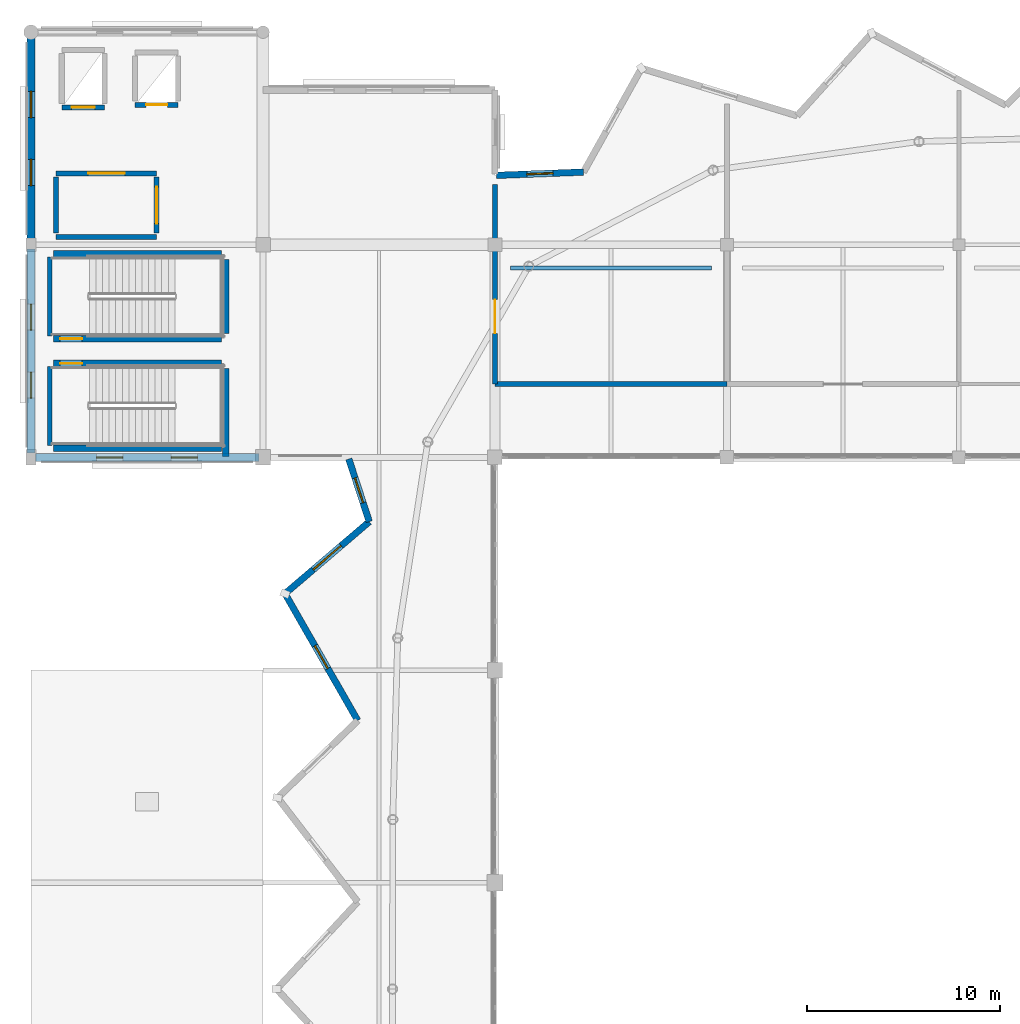
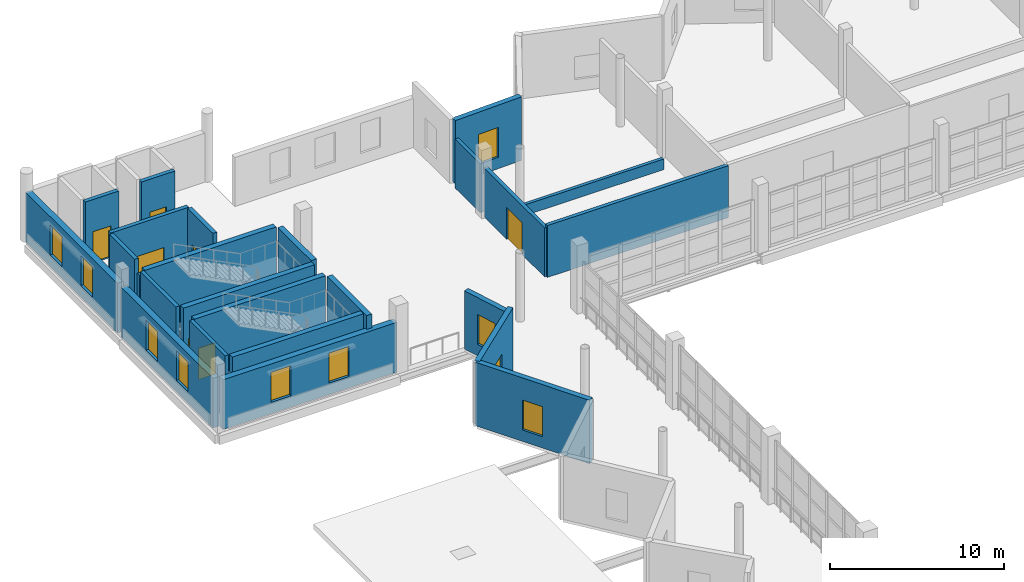
# One storey, part 40 of 53: 25 walls, 10 windows, 7 doors, 17 openings.
"""IFC4 building model written with IfcOpenShell, lengths in metres."""

from ifc_helpers import new_model, si_unit, direction, frame, frame_2d, origin, place, context, subcontext, project, spatial, rectangle, extrude, material, layer, layer_set, type_object, element, fill, save


model = new_model("IFC4")

# Units and contexts
model_context = context("Model", 3, precision=1e-05, world=origin(), true_north=direction((0.0, 1.0)))
body_context = subcontext(model_context, "Body", "Model", "MODEL_VIEW")
ifc_project = project(units=[si_unit("LENGTHUNIT", "METRE"), si_unit("AREAUNIT", "SQUARE_METRE"), si_unit("VOLUMEUNIT", "CUBIC_METRE"), si_unit("PLANEANGLEUNIT", "RADIAN"), si_unit("MASSUNIT", "GRAM", prefix="KILO")], contexts=[model_context])

# Site, building, storey
site_placement = place(None, origin())
site = spatial("IfcSite", under=ifc_project, at=site_placement, CompositionType="ELEMENT")
building_placement = place(site_placement, origin())
building = spatial("IfcBuilding", under=site, at=building_placement, Name="Luwafu Chhajja Arena", CompositionType="ELEMENT")
storey_placement = place(building_placement, frame((0.0, 0.0, 19.5)))
storey = spatial("IfcBuildingStorey", under=building, at=storey_placement, Name="L04", CompositionType="ELEMENT", Elevation=19.5)

# Wall, opening, door
ifc_material_1 = material(Name="Concrete blockwork masonry", Category="masonry")
ifc_layer_1 = layer(ifc_material_1, 0.239990234375, Name="Concrete blockwork masonry")
ifc_layer_set_1 = layer_set([ifc_layer_1], Name="Concrete blockwork masonry")
wall_type_1 = type_object("IfcWallType", Name="Compartment Masonry Partition 240", PredefinedType="PARTITIONING", material=ifc_layer_set_1)
wall_1_placement = place(storey_placement, frame((58.0, 80.800048828125, 0.0), z_axis=(0.0, 0.0, 1.0), x_axis=(0.0, 1.0, 0.0)))
wall_1 = element("IfcWall", 1, at=wall_1_placement, inside=storey, type_object=wall_type_1, Name="L04 Internal Partition 0303", PredefinedType="PARTITIONING", context=body_context, shape_type="SweptSolid", body=[
    extrude(rectangle(XDim=6.97998046875, YDim=0.239990234375, at=frame_2d((3.489990234375, 0.0))), origin(), (0.0, 0.0, 1.0), 3.43994140625),
])
opening_1_placement = place(wall_1_placement, frame((2.614990234375, 0.0, 0.0)))
opening_1 = element("IfcOpeningElement", 2, at=opening_1_placement, cuts=wall_1, Name="Opening DR-09", PredefinedType="OPENING", context=body_context, shape_type="SweptSolid", body=[
    extrude(rectangle(XDim=1.75, YDim=2.25, at=frame_2d((0.875, 1.125))), frame((0.0, 0.1298828125, 0.0), z_axis=(0.0, -1.0, 0.0), x_axis=(1.0, 0.0, 0.0)), (0.0, 0.0, 1.0), 0.260009765625),
])
ifc_material_2 = material(Name="Powder-coated steel fire leaf", Category="steel")
door_type_1 = type_object("IfcDoorType", Name="DR-09", OperationType="DOUBLE_DOOR_SINGLE_SWING", PredefinedType="DOOR", material=ifc_material_2)
door_1_placement = place(opening_1_placement, origin())
door_1 = element("IfcDoor", 3, at=door_1_placement, inside=storey, type_object=door_type_1, Name="L04 Interior Door L04-D018", OperationType="DOUBLE_DOOR_SINGLE_SWING", OverallHeight=2.25, OverallWidth=1.75, PredefinedType="DOOR", context=body_context, shape_type="SweptSolid", body=[
    extrude(rectangle(XDim=1.75, YDim=2.25, at=frame_2d((0.875, 1.125))), frame((0.0, 0.02490234375, 0.0), z_axis=(0.0, -1.0, 0.0), x_axis=(1.0, 0.0, 0.0)), (0.0, 0.0, 1.0), 0.050048828125),
])
fill(opening_1, door_1)

# Walls
wall_2_placement = place(storey_placement, frame((58.0, 88.219970703125, 0.0), z_axis=(0.0, 0.0, 1.0), x_axis=(0.0, 1.0, 0.0)))
element("IfcWall", 4, at=wall_2_placement, inside=storey, type_object=wall_type_1, Name="L04 Internal Partition 0304", PredefinedType="PARTITIONING", context=body_context, shape_type="SweptSolid", body=[
    extrude(rectangle(XDim=2.892333984375, YDim=0.239990234375, at=frame_2d((1.4462890625, 0.0))), origin(), (0.0, 0.0, 1.0), 3.43994140625),
])
wall_3_placement = place(storey_placement, frame((58.0, 80.800048828125, 0.0), z_axis=(0.0, 0.0, 1.0), x_axis=(1.0, 0.0, 0.0)))
element("IfcWall", 5, at=wall_3_placement, inside=storey, type_object=wall_type_1, Name="L04 Internal Partition 0316", PredefinedType="PARTITIONING", context=body_context, shape_type="SweptSolid", body=[
    extrude(rectangle(XDim=12.0, YDim=0.239990234375, at=frame_2d((6.0, 0.0))), origin(), (0.0, 0.0, 1.0), 3.639892578125),
])

# Wall, opening, door
ifc_material_3 = material(Name="Concrete C40/50", Category="concrete")
ifc_layer_2 = layer(ifc_material_3, 0.260009765625, Name="Concrete C40/50")
ifc_layer_set_2 = layer_set([ifc_layer_2], Name="Concrete C40/50")
wall_type_2 = type_object("IfcWallType", Name="Firefighting Lobby Wall 260", PredefinedType="SOLIDWALL", material=ifc_layer_set_2)
wall_4_placement = place(storey_placement, frame((35.300048828125, 91.699951171875, 0.0), z_axis=(0.0, 0.0, 1.0), x_axis=(1.0, 0.0, 0.0)))
wall_4 = element("IfcWall", 6, at=wall_4_placement, inside=storey, type_object=wall_type_2, Name="L04 Core C3 Firefighting Lobby Wall N", PredefinedType="SOLIDWALL", context=body_context, shape_type="SweptSolid", body=[
    extrude(rectangle(XDim=5.199951171875, YDim=0.260009765625, at=frame_2d((2.60009765625, 0.0))), origin(), (0.0, 0.0, 1.0), 4.4599609375),
])
opening_2_placement = place(wall_4_placement, frame((1.64990234375, 0.0, 0.0)))
opening_2 = element("IfcOpeningElement", 7, at=opening_2_placement, cuts=wall_4, Name="Opening DR-07", PredefinedType="OPENING", context=body_context, shape_type="SweptSolid", body=[
    extrude(rectangle(XDim=1.89990234375, YDim=2.199951171875, at=frame_2d((0.949951171875, 1.10009765625))), frame((0.0, 0.139892578125, 0.0), z_axis=(0.0, -1.0, 0.0), x_axis=(1.0, 0.0, 0.0)), (0.0, 0.0, 1.0), 0.280029296875),
])
ifc_material_4 = material(Name="Fire-rated hardwood and vision panel", Category="wood")
door_type_2 = type_object("IfcDoorType", Name="DR-07", OperationType="DOUBLE_DOOR_SINGLE_SWING", PredefinedType="DOOR", material=ifc_material_4)
door_2_placement = place(opening_2_placement, origin())
door_2 = element("IfcDoor", 8, at=door_2_placement, inside=storey, type_object=door_type_2, Name="L04 Firefighting Lobby C3 Door L04-D011", OperationType="DOUBLE_DOOR_SINGLE_SWING", OverallHeight=2.199951171875, OverallWidth=1.89990234375, PredefinedType="DOOR", context=body_context, shape_type="SweptSolid", body=[
    extrude(rectangle(XDim=1.89990234375, YDim=2.199951171875, at=frame_2d((0.949951171875, 1.10009765625))), frame((0.0, 0.02490234375, 0.0), z_axis=(0.0, -1.0, 0.0), x_axis=(1.0, 0.0, 0.0)), (0.0, 0.0, 1.0), 0.050048828125),
])
fill(opening_2, door_2)

# Walls
wall_5_placement = place(storey_placement, frame((35.300048828125, 88.39990234375, 0.0), z_axis=(0.0, 0.0, 1.0), x_axis=(1.0, 0.0, 0.0)))
element("IfcWall", 9, at=wall_5_placement, inside=storey, type_object=wall_type_2, Name="L04 Core C3 Firefighting Lobby Wall S", PredefinedType="SOLIDWALL", context=body_context, shape_type="SweptSolid", body=[
    extrude(rectangle(XDim=5.199951171875, YDim=0.260009765625, at=frame_2d((2.60009765625, 0.0))), origin(), (0.0, 0.0, 1.0), 3.489990234375),
])
wall_6_placement = place(storey_placement, frame((35.300048828125, 88.60009765625, 0.0), z_axis=(0.0, 0.0, 1.0), x_axis=(0.0, 1.0, 0.0)))
element("IfcWall", 10, at=wall_6_placement, inside=storey, type_object=wall_type_2, Name="L04 Core C3 Firefighting Lobby Wall W", PredefinedType="SOLIDWALL", context=body_context, shape_type="SweptSolid", body=[
    extrude(rectangle(XDim=2.89990234375, YDim=0.260009765625, at=frame_2d((1.449951171875, 0.0))), origin(), (0.0, 0.0, 1.0), 4.4599609375),
])

# Wall, opening, door
wall_7_placement = place(storey_placement, frame((40.5, 88.60009765625, 0.0), z_axis=(0.0, 0.0, 1.0), x_axis=(0.0, 1.0, 0.0)))
wall_7 = element("IfcWall", 11, at=wall_7_placement, inside=storey, type_object=wall_type_2, Name="L04 Core C3 Firefighting Lobby Wall E", PredefinedType="SOLIDWALL", context=body_context, shape_type="SweptSolid", body=[
    extrude(rectangle(XDim=2.89990234375, YDim=0.260009765625, at=frame_2d((1.449951171875, 0.0))), origin(), (0.0, 0.0, 1.0), 4.4599609375),
])
opening_3_placement = place(wall_7_placement, frame((0.5, 0.0, 0.0)))
opening_3 = element("IfcOpeningElement", 12, at=opening_3_placement, cuts=wall_7, Name="Opening DR-07", PredefinedType="OPENING", context=body_context, shape_type="SweptSolid", body=[
    extrude(rectangle(XDim=1.89990234375, YDim=2.199951171875, at=frame_2d((0.949951171875, 1.10009765625))), frame((0.0, 0.139892578125, 0.0), z_axis=(0.0, -1.0, 0.0), x_axis=(1.0, 0.0, 0.0)), (0.0, 0.0, 1.0), 0.280029296875),
])
door_3_placement = place(opening_3_placement, origin())
door_3 = element("IfcDoor", 13, at=door_3_placement, inside=storey, type_object=door_type_2, Name="L04 Firefighting Lobby C3 Door L04-D012", OperationType="DOUBLE_DOOR_SINGLE_SWING", OverallHeight=2.199951171875, OverallWidth=1.89990234375, PredefinedType="DOOR", context=body_context, shape_type="SweptSolid", body=[
    extrude(rectangle(XDim=1.89990234375, YDim=2.199951171875, at=frame_2d((0.949951171875, 1.10009765625))), frame((0.0, 0.02490234375, 0.0), z_axis=(0.0, -1.0, 0.0), x_axis=(1.0, 0.0, 0.0)), (0.0, 0.0, 1.0), 0.050048828125),
])
fill(opening_3, door_3)

ifc_material_5 = material(Name="Concrete C35/45", Category="concrete")
ifc_layer_3 = layer(ifc_material_5, 0.260009765625, Name="Concrete C35/45")
ifc_layer_set_3 = layer_set([ifc_layer_3], Name="Concrete C35/45")
wall_type_3 = type_object("IfcWallType", Name="Lift and Riser Shaft Wall 260", PredefinedType="SOLIDWALL", material=ifc_layer_set_3)
wall_8_placement = place(storey_placement, frame((35.590087890625, 95.114990234375, 0.0), z_axis=(0.0, 0.0, 1.0), x_axis=(1.0, 0.0, 0.0)))
wall_8 = element("IfcWall", 14, at=wall_8_placement, inside=storey, type_object=wall_type_3, Name="L04 Lift LF-03 Shaft Wall S", PredefinedType="SOLIDWALL", context=body_context, shape_type="SweptSolid", body=[
    extrude(rectangle(XDim=2.219970703125, YDim=0.260009765625, at=frame_2d((1.10986328125, 0.0))), origin(), (0.0, 0.0, 1.0), 4.4599609375),
])
opening_4_placement = place(wall_8_placement, frame((0.510009765625, 0.0, 0.0)))
opening_4 = element("IfcOpeningElement", 15, at=opening_4_placement, cuts=wall_8, Name="Opening LD-02", PredefinedType="OPENING", context=body_context, shape_type="SweptSolid", body=[
    extrude(rectangle(XDim=1.199951171875, YDim=2.199951171875, at=frame_2d((0.60009765625, 1.10009765625))), frame((0.0, 0.139892578125, 0.0), z_axis=(0.0, -1.0, 0.0), x_axis=(1.0, 0.0, 0.0)), (0.0, 0.0, 1.0), 0.280029296875),
])
ifc_material_6 = material(Name="Brushed stainless steel sliding leaves", Category="steel")
door_type_3 = type_object("IfcDoorType", Name="LD-02", OperationType="SLIDING_TO_LEFT", PredefinedType="DOOR", material=ifc_material_6)
door_4_placement = place(opening_4_placement, origin())
door_4 = element("IfcDoor", 16, at=door_4_placement, inside=storey, type_object=door_type_3, Name="L04 Lift LF-03 Landing Door L04-LD05", OperationType="SLIDING_TO_LEFT", OverallHeight=2.199951171875, OverallWidth=1.199951171875, PredefinedType="DOOR", context=body_context, shape_type="SweptSolid", body=[
    extrude(rectangle(XDim=1.199951171875, YDim=2.199951171875, at=frame_2d((0.60009765625, 1.10009765625))), frame((0.0, 0.02490234375, 0.0), z_axis=(0.0, -1.0, 0.0), x_axis=(1.0, 0.0, 0.0)), (0.0, 0.0, 1.0), 0.050048828125),
])
fill(opening_4, door_4)

wall_9_placement = place(storey_placement, frame((39.389892578125, 95.239990234375, 0.0), z_axis=(0.0, 0.0, 1.0), x_axis=(1.0, 0.0, 0.0)))
wall_9 = element("IfcWall", 17, at=wall_9_placement, inside=storey, type_object=wall_type_3, Name="L04 Lift LF-07 Shaft Wall S", PredefinedType="SOLIDWALL", context=body_context, shape_type="SweptSolid", body=[
    extrude(rectangle(XDim=2.22021484375, YDim=0.260009765625, at=frame_2d((1.110107421875, 0.0))), origin(), (0.0, 0.0, 1.0), 4.4599609375),
])
opening_5_placement = place(wall_9_placement, frame((0.56005859375, 0.0, 0.0)))
opening_5 = element("IfcOpeningElement", 18, at=opening_5_placement, cuts=wall_9, Name="Opening LD-01", PredefinedType="OPENING", context=body_context, shape_type="SweptSolid", body=[
    extrude(rectangle(XDim=1.10009765625, YDim=2.14990234375, at=frame_2d((0.550048828125, 1.074951171875))), frame((0.0, 0.139892578125, 0.0), z_axis=(0.0, -1.0, 0.0), x_axis=(1.0, 0.0, 0.0)), (0.0, 0.0, 1.0), 0.280029296875),
])
door_type_4 = type_object("IfcDoorType", Name="LD-01", OperationType="SLIDING_TO_LEFT", PredefinedType="DOOR", material=ifc_material_6)
door_5_placement = place(opening_5_placement, origin())
door_5 = element("IfcDoor", 19, at=door_5_placement, inside=storey, type_object=door_type_4, Name="L04 Lift LF-07 Landing Door L04-LD06", OperationType="SLIDING_TO_LEFT", OverallHeight=2.14990234375, OverallWidth=1.10009765625, PredefinedType="DOOR", context=body_context, shape_type="SweptSolid", body=[
    extrude(rectangle(XDim=1.10009765625, YDim=2.14990234375, at=frame_2d((0.550048828125, 1.074951171875))), frame((0.0, 0.02490234375, 0.0), z_axis=(0.0, -1.0, 0.0), x_axis=(1.0, 0.0, 0.0)), (0.0, 0.0, 1.0), 0.050048828125),
])
fill(opening_5, door_5)

# Wall, opening, window
ifc_material_7 = material(Name="Precast concrete C40/50", Category="concrete")
ifc_layer_4 = layer(ifc_material_7, 0.340087890625, Name="Precast concrete C40/50")
ifc_layer_set_4 = layer_set([ifc_layer_4], Name="Precast concrete C40/50")
wall_type_4 = type_object("IfcWallType", Name="Pleated Bowl V-Fold Wall 340", PredefinedType="USERDEFINED", material=ifc_layer_set_4)
wall_10_placement = place(storey_placement, frame((62.57421875, 91.76318359375, 0.0), z_axis=(0.0, 0.0, 1.0), x_axis=(-0.999296191983, -0.037511607381, 0.0)))
wall_10 = element("IfcWall", 20, at=wall_10_placement, inside=storey, type_object=wall_type_4, Name="L04 Pleated Bowl V-Fold Wall 24", ObjectType="PLEATED FACADE WALL", PredefinedType="USERDEFINED", context=body_context, shape_type="SweptSolid", body=[
    extrude(rectangle(XDim=4.497314453125, YDim=0.340087890625, at=frame_2d((2.24853515625, 0.0))), origin(), (0.0, 0.0, 1.0), 4.455078125),
])
opening_6_placement = place(wall_10_placement, frame((1.573486328125, 0.0, 0.800048828125)))
opening_6 = element("IfcOpeningElement", 21, at=opening_6_placement, cuts=wall_10, Name="Opening WN-17", PredefinedType="OPENING", context=body_context, shape_type="SweptSolid", body=[
    extrude(rectangle(XDim=1.35009765625, YDim=2.10009765625, at=frame_2d((0.675048828125, 1.050048828125))), frame((0.0, 0.179931640625, 0.0), z_axis=(0.0, -1.0, 0.0), x_axis=(1.0, 0.0, 0.0)), (0.0, 0.0, 1.0), 0.360107421875),
])
ifc_material_8 = material(Name="Solar-control laminated glass", Category="glass")
window_type_1 = type_object("IfcWindowType", Name="Exhibition Mezzanine Lancet Window 1350x2100", PartitioningType="SINGLE_PANEL", PredefinedType="WINDOW", material=ifc_material_8)
window_1_placement = place(opening_6_placement, origin())
window_1 = element("IfcWindow", 22, at=window_1_placement, inside=storey, type_object=window_type_1, Name="L04 Pleated Bowl Lancet Window 099", OverallHeight=2.10009765625, OverallWidth=1.35009765625, PartitioningType="SINGLE_PANEL", PredefinedType="WINDOW", context=body_context, shape_type="SweptSolid", body=[
    extrude(rectangle(XDim=1.35009765625, YDim=2.10009765625, at=frame_2d((0.675048828125, 1.050048828125))), frame((0.0, 0.030029296875, 0.0), z_axis=(0.0, -1.0, 0.0), x_axis=(1.0, 0.0, 0.0)), (0.0, 0.0, 1.0), 0.06005859375),
])
fill(opening_6, window_1)

wall_11_placement = place(storey_placement, frame((50.437744140625, 76.919921875, 0.0), z_axis=(0.0, 0.0, 1.0), x_axis=(0.310230166493, -0.950661476972, 0.0)))
wall_11 = element("IfcWall", 23, at=wall_11_placement, inside=storey, type_object=wall_type_4, Name="L04 Pleated Bowl V-Fold Wall 27", ObjectType="PLEATED FACADE WALL", PredefinedType="USERDEFINED", context=body_context, shape_type="SweptSolid", body=[
    extrude(rectangle(XDim=3.41064453125, YDim=0.340087890625, at=frame_2d((1.705322265625, 0.0))), origin(), (0.0, 0.0, 1.0), 4.08349609375),
])
opening_7_placement = place(wall_11_placement, frame((1.0302734375, 0.0, 0.800048828125)))
opening_7 = element("IfcOpeningElement", 24, at=opening_7_placement, cuts=wall_11, Name="Opening WN-17", PredefinedType="OPENING", context=body_context, shape_type="SweptSolid", body=[
    extrude(rectangle(XDim=1.35009765625, YDim=2.10009765625, at=frame_2d((0.675048828125, 1.050048828125))), frame((0.0, 0.179931640625, 0.0), z_axis=(0.0, -1.0, 0.0), x_axis=(1.0, 0.0, 0.0)), (0.0, 0.0, 1.0), 0.360107421875),
])
window_2_placement = place(opening_7_placement, origin())
window_2 = element("IfcWindow", 25, at=window_2_placement, inside=storey, type_object=window_type_1, Name="L04 Pleated Bowl Lancet Window 100", OverallHeight=2.10009765625, OverallWidth=1.35009765625, PartitioningType="SINGLE_PANEL", PredefinedType="WINDOW", context=body_context, shape_type="SweptSolid", body=[
    extrude(rectangle(XDim=1.35009765625, YDim=2.10009765625, at=frame_2d((0.675048828125, 1.050048828125))), frame((0.0, 0.030029296875, 0.0), z_axis=(0.0, -1.0, 0.0), x_axis=(1.0, 0.0, 0.0)), (0.0, 0.0, 1.0), 0.06005859375),
])
fill(opening_7, window_2)

wall_12_placement = place(storey_placement, frame((51.495849609375, 73.677490234375, 0.0), z_axis=(0.0, 0.0, 1.0), x_axis=(-0.760445983194, -0.649401190824, 0.0)))
wall_12 = element("IfcWall", 26, at=wall_12_placement, inside=storey, type_object=wall_type_4, Name="L04 Pleated Bowl V-Fold Wall 28", ObjectType="PLEATED FACADE WALL", PredefinedType="USERDEFINED", context=body_context, shape_type="SweptSolid", body=[
    extrude(rectangle(XDim=5.731689453125, YDim=0.340087890625, at=frame_2d((2.86572265625, 0.0))), origin(), (0.0, 0.0, 1.0), 4.455078125),
])
opening_8_placement = place(wall_12_placement, frame((1.916015625, 0.0, 0.85009765625)))
opening_8 = element("IfcOpeningElement", 27, at=opening_8_placement, cuts=wall_12, Name="Opening WN-15", PredefinedType="OPENING", context=body_context, shape_type="SweptSolid", body=[
    extrude(rectangle(XDim=1.89990234375, YDim=1.60009765625, at=frame_2d((0.949951171875, 0.800048828125))), frame((0.0, 0.179931640625, 0.0), z_axis=(0.0, -1.0, 0.0), x_axis=(1.0, 0.0, 0.0)), (0.0, 0.0, 1.0), 0.360107421875),
])
window_type_2 = type_object("IfcWindowType", Name="Pleated Drum Inward-Fold Clerestory 1900x1600", PartitioningType="SINGLE_PANEL", PredefinedType="WINDOW", material=ifc_material_8)
window_3_placement = place(opening_8_placement, origin())
window_3 = element("IfcWindow", 28, at=window_3_placement, inside=storey, type_object=window_type_2, Name="L04 Pleated Bowl Lancet Window 101", OverallHeight=1.60009765625, OverallWidth=1.89990234375, PartitioningType="SINGLE_PANEL", PredefinedType="WINDOW", context=body_context, shape_type="SweptSolid", body=[
    extrude(rectangle(XDim=1.89990234375, YDim=1.60009765625, at=frame_2d((0.949951171875, 0.800048828125))), frame((0.0, 0.030029296875, 0.0), z_axis=(0.0, -1.0, 0.0), x_axis=(1.0, 0.0, 0.0)), (0.0, 0.0, 1.0), 0.06005859375),
])
fill(opening_8, window_3)

wall_13_placement = place(storey_placement, frame((47.13720703125, 69.955322265625, 0.0), z_axis=(0.0, 0.0, 1.0), x_axis=(0.497195545865, -0.86763851296, 0.0)))
wall_13 = element("IfcWall", 29, at=wall_13_placement, inside=storey, type_object=wall_type_4, Name="L04 Pleated Bowl V-Fold Wall 29", ObjectType="PLEATED FACADE WALL", PredefinedType="USERDEFINED", context=body_context, shape_type="SweptSolid", body=[
    extrude(rectangle(XDim=7.56201171875, YDim=0.340087890625, at=frame_2d((3.781005859375, 0.0))), origin(), (0.0, 0.0, 1.0), 4.455078125),
])
opening_9_placement = place(wall_13_placement, frame((3.10595703125, 0.0, 0.800048828125)))
opening_9 = element("IfcOpeningElement", 30, at=opening_9_placement, cuts=wall_13, Name="Opening WN-17", PredefinedType="OPENING", context=body_context, shape_type="SweptSolid", body=[
    extrude(rectangle(XDim=1.35009765625, YDim=2.10009765625, at=frame_2d((0.675048828125, 1.050048828125))), frame((0.0, 0.179931640625, 0.0), z_axis=(0.0, -1.0, 0.0), x_axis=(1.0, 0.0, 0.0)), (0.0, 0.0, 1.0), 0.360107421875),
])
window_4_placement = place(opening_9_placement, origin())
window_4 = element("IfcWindow", 31, at=window_4_placement, inside=storey, type_object=window_type_1, Name="L04 Pleated Bowl Lancet Window 102", OverallHeight=2.10009765625, OverallWidth=1.35009765625, PartitioningType="SINGLE_PANEL", PredefinedType="WINDOW", context=body_context, shape_type="SweptSolid", body=[
    extrude(rectangle(XDim=1.35009765625, YDim=2.10009765625, at=frame_2d((0.675048828125, 1.050048828125))), frame((0.0, 0.030029296875, 0.0), z_axis=(0.0, -1.0, 0.0), x_axis=(1.0, 0.0, 0.0)), (0.0, 0.0, 1.0), 0.06005859375),
])
fill(opening_9, window_4)

# Walls
ifc_layer_5 = layer(ifc_material_3, 0.35009765625, Name="Concrete C40/50")
ifc_layer_set_5 = layer_set([ifc_layer_5], Name="Concrete C40/50")
wall_type_5 = type_object("IfcWallType", Name="RC Core Shear Wall 350", PredefinedType="SOLIDWALL", material=ifc_layer_set_5)
wall_14_placement = place(storey_placement, frame((44.072021484375, 77.050048828125, 0.0), z_axis=(0.0, 0.0, 1.0), x_axis=(0.0, 1.0, 0.0)))
element("IfcWall", 32, at=wall_14_placement, inside=storey, type_object=wall_type_5, Name="L04 Stair ST-05 Core Shear Wall E", PredefinedType="SOLIDWALL", context=body_context, shape_type="SweptSolid", body=[
    extrude(rectangle(XDim=4.5400390625, YDim=0.35009765625, at=frame_2d((2.27001953125, 0.0))), origin(), (0.0, 0.0, 1.0), 4.4599609375),
])
wall_15_placement = place(storey_placement, frame((35.14990234375, 77.47802734375, 0.0), z_axis=(0.0, 0.0, 1.0), x_axis=(1.0, 0.0, 0.0)))
element("IfcWall", 33, at=wall_15_placement, inside=storey, type_object=wall_type_5, Name="L04 Stair ST-05 Core Shear Wall S", PredefinedType="SOLIDWALL", context=body_context, shape_type="SweptSolid", body=[
    extrude(rectangle(XDim=8.7001953125, YDim=0.35009765625, at=frame_2d((4.35009765625, 0.0))), origin(), (0.0, 0.0, 1.0), 4.4599609375),
])

# Wall, opening, door
wall_16_placement = place(storey_placement, frame((35.14990234375, 81.862060546875, 0.0), z_axis=(0.0, 0.0, 1.0), x_axis=(1.0, 0.0, 0.0)))
wall_16 = element("IfcWall", 34, at=wall_16_placement, inside=storey, type_object=wall_type_5, Name="L04 Stair ST-05 Core Shear Wall N", PredefinedType="SOLIDWALL", context=body_context, shape_type="SweptSolid", body=[
    extrude(rectangle(XDim=8.7001953125, YDim=0.35009765625, at=frame_2d((4.35009765625, 0.0))), origin(), (0.0, 0.0, 1.0), 4.4599609375),
])
opening_10_placement = place(wall_16_placement, frame((0.35009765625, 0.0, 0.0)))
opening_10 = element("IfcOpeningElement", 35, at=opening_10_placement, cuts=wall_16, Name="Opening DR-06", PredefinedType="OPENING", context=body_context, shape_type="SweptSolid", body=[
    extrude(rectangle(XDim=1.14990234375, YDim=2.199951171875, at=frame_2d((0.574951171875, 1.10009765625))), frame((0.0, 0.18505859375, 0.0), z_axis=(0.0, -1.0, 0.0), x_axis=(1.0, 0.0, 0.0)), (0.0, 0.0, 1.0), 0.3701171875),
])
ifc_material_9 = material(Name="Fire-rated hardwood and steel core", Category="steel")
door_type_5 = type_object("IfcDoorType", Name="DR-06", OperationType="NOTDEFINED", PredefinedType="DOOR", material=ifc_material_9)
door_6_placement = place(opening_10_placement, origin())
door_6 = element("IfcDoor", 36, at=door_6_placement, inside=storey, type_object=door_type_5, Name="L04 Escape Stair ST-05 Fire Door L04-D009", OperationType="SINGLE_SWING_RIGHT", OverallHeight=2.199951171875, OverallWidth=1.14990234375, PredefinedType="DOOR", context=body_context, shape_type="SweptSolid", body=[
    extrude(rectangle(XDim=1.14990234375, YDim=2.199951171875, at=frame_2d((0.574951171875, 1.10009765625))), frame((0.0, 0.02490234375, 0.0), z_axis=(0.0, -1.0, 0.0), x_axis=(1.0, 0.0, 0.0)), (0.0, 0.0, 1.0), 0.050048828125),
])
fill(opening_10, door_6)

# Wall
wall_17_placement = place(storey_placement, frame((44.072021484375, 83.409912109375, 0.0), z_axis=(0.0, 0.0, 1.0), x_axis=(0.0, 1.0, 0.0)))
element("IfcWall", 37, at=wall_17_placement, inside=storey, type_object=wall_type_5, Name="L04 Stair ST-06 Core Shear Wall E", PredefinedType="SOLIDWALL", context=body_context, shape_type="SweptSolid", body=[
    extrude(rectangle(XDim=3.840087890625, YDim=0.35009765625, at=frame_2d((1.919921875, 0.0))), origin(), (0.0, 0.0, 1.0), 4.4599609375),
])

# Wall, opening, door
wall_18_placement = place(storey_placement, frame((35.14990234375, 83.137939453125, 0.0), z_axis=(0.0, 0.0, 1.0), x_axis=(1.0, 0.0, 0.0)))
wall_18 = element("IfcWall", 38, at=wall_18_placement, inside=storey, type_object=wall_type_5, Name="L04 Stair ST-06 Core Shear Wall S", PredefinedType="SOLIDWALL", context=body_context, shape_type="SweptSolid", body=[
    extrude(rectangle(XDim=8.7001953125, YDim=0.35009765625, at=frame_2d((4.35009765625, 0.0))), origin(), (0.0, 0.0, 1.0), 4.4599609375),
])
opening_11_placement = place(wall_18_placement, frame((0.35009765625, 0.0, 0.0)))
opening_11 = element("IfcOpeningElement", 39, at=opening_11_placement, cuts=wall_18, Name="Opening DR-06", PredefinedType="OPENING", context=body_context, shape_type="SweptSolid", body=[
    extrude(rectangle(XDim=1.14990234375, YDim=2.199951171875, at=frame_2d((0.574951171875, 1.10009765625))), frame((0.0, 0.18505859375, 0.0), z_axis=(0.0, -1.0, 0.0), x_axis=(1.0, 0.0, 0.0)), (0.0, 0.0, 1.0), 0.3701171875),
])
door_7_placement = place(opening_11_placement, origin())
door_7 = element("IfcDoor", 40, at=door_7_placement, inside=storey, type_object=door_type_5, Name="L04 Escape Stair ST-06 Fire Door L04-D010", OperationType="SINGLE_SWING_LEFT", OverallHeight=2.199951171875, OverallWidth=1.14990234375, PredefinedType="DOOR", context=body_context, shape_type="SweptSolid", body=[
    extrude(rectangle(XDim=1.14990234375, YDim=2.199951171875, at=frame_2d((0.574951171875, 1.10009765625))), frame((0.0, 0.02490234375, 0.0), z_axis=(0.0, -1.0, 0.0), x_axis=(1.0, 0.0, 0.0)), (0.0, 0.0, 1.0), 0.050048828125),
])
fill(opening_11, door_7)

# Wall
wall_19_placement = place(storey_placement, frame((35.14990234375, 87.52197265625, 0.0), z_axis=(0.0, 0.0, 1.0), x_axis=(1.0, 0.0, 0.0)))
element("IfcWall", 41, at=wall_19_placement, inside=storey, type_object=wall_type_5, Name="L04 Stair ST-06 Core Shear Wall N", PredefinedType="SOLIDWALL", context=body_context, shape_type="SweptSolid", body=[
    extrude(rectangle(XDim=8.7001953125, YDim=0.35009765625, at=frame_2d((4.35009765625, 0.0))), origin(), (0.0, 0.0, 1.0), 4.4599609375),
])

# Wall, openings, windows
ifc_layer_6 = layer(ifc_material_3, 0.39990234375, Name="Concrete C40/50")
ifc_layer_set_6 = layer_set([ifc_layer_6], Name="Concrete C40/50")
wall_type_6 = type_object("IfcWallType", Name="RC Core Shear Wall 400", PredefinedType="SOLIDWALL", material=ifc_layer_set_6)
wall_20_placement = place(storey_placement, frame((34.219970703125, 77.0, 0.0), z_axis=(0.0, 0.0, 1.0), x_axis=(1.0, 0.0, 0.0)))
wall_20 = element("IfcWall", 42, at=wall_20_placement, inside=storey, type_object=wall_type_6, Name="L04 Exterior Wall WEX-L04-214", PredefinedType="SOLIDWALL", context=body_context, shape_type="SweptSolid", body=[
    extrude(rectangle(XDim=11.56005859375, YDim=0.39990234375, at=frame_2d((5.780029296875, 0.0))), origin(), (0.0, 0.0, 1.0), 3.489990234375),
])
opening_12_placement = place(wall_20_placement, frame((3.17822265625, 0.0, 0.800048828125)))
opening_12 = element("IfcOpeningElement", 43, at=opening_12_placement, cuts=wall_20, Name="Opening WN-17", PredefinedType="OPENING", context=body_context, shape_type="SweptSolid", body=[
    extrude(rectangle(XDim=1.35009765625, YDim=2.10009765625, at=frame_2d((0.675048828125, 1.050048828125))), frame((0.0, 0.2099609375, 0.0), z_axis=(0.0, -1.0, 0.0), x_axis=(1.0, 0.0, 0.0)), (0.0, 0.0, 1.0), 0.419921875),
])
opening_13_placement = place(wall_20_placement, frame((7.03173828125, 0.0, 0.800048828125)))
opening_13 = element("IfcOpeningElement", 44, at=opening_13_placement, cuts=wall_20, Name="Opening WN-17", PredefinedType="OPENING", context=body_context, shape_type="SweptSolid", body=[
    extrude(rectangle(XDim=1.35009765625, YDim=2.10009765625, at=frame_2d((0.675048828125, 1.050048828125))), frame((0.0, 0.2099609375, 0.0), z_axis=(0.0, -1.0, 0.0), x_axis=(1.0, 0.0, 0.0)), (0.0, 0.0, 1.0), 0.419921875),
])
window_5_placement = place(opening_12_placement, origin())
window_5 = element("IfcWindow", 45, at=window_5_placement, inside=storey, type_object=window_type_1, Name="L04 Facade Window 174", OverallHeight=2.10009765625, OverallWidth=1.35009765625, PartitioningType="SINGLE_PANEL", PredefinedType="WINDOW", context=body_context, shape_type="SweptSolid", body=[
    extrude(rectangle(XDim=1.35009765625, YDim=2.10009765625, at=frame_2d((0.675048828125, 1.050048828125))), frame((0.0, 0.030029296875, 0.0), z_axis=(0.0, -1.0, 0.0), x_axis=(1.0, 0.0, 0.0)), (0.0, 0.0, 1.0), 0.06005859375),
])
fill(opening_12, window_5)
window_6_placement = place(opening_13_placement, origin())
window_6 = element("IfcWindow", 46, at=window_6_placement, inside=storey, type_object=window_type_1, Name="L04 Facade Window 175", OverallHeight=2.10009765625, OverallWidth=1.35009765625, PartitioningType="SINGLE_PANEL", PredefinedType="WINDOW", context=body_context, shape_type="SweptSolid", body=[
    extrude(rectangle(XDim=1.35009765625, YDim=2.10009765625, at=frame_2d((0.675048828125, 1.050048828125))), frame((0.0, 0.030029296875, 0.0), z_axis=(0.0, -1.0, 0.0), x_axis=(1.0, 0.0, 0.0)), (0.0, 0.0, 1.0), 0.06005859375),
])
fill(opening_13, window_6)

wall_21_placement = place(storey_placement, frame((34.0, 77.219970703125, 0.0), z_axis=(0.0, 0.0, 1.0), x_axis=(0.0, 1.0, 0.0)))
wall_21 = element("IfcWall", 47, at=wall_21_placement, inside=storey, type_object=wall_type_6, Name="L04 Exterior Wall WEX-L04-215", PredefinedType="SOLIDWALL", context=body_context, shape_type="SweptSolid", body=[
    extrude(rectangle(XDim=10.56005859375, YDim=0.39990234375, at=frame_2d((5.280029296875, 0.0))), origin(), (0.0, 0.0, 1.0), 3.489990234375),
])
opening_14_placement = place(wall_21_placement, frame((2.844970703125, 0.0, 0.800048828125)))
opening_14 = element("IfcOpeningElement", 48, at=opening_14_placement, cuts=wall_21, Name="Opening WN-17", PredefinedType="OPENING", context=body_context, shape_type="SweptSolid", body=[
    extrude(rectangle(XDim=1.35009765625, YDim=2.10009765625, at=frame_2d((0.675048828125, 1.050048828125))), frame((0.0, 0.2099609375, 0.0), z_axis=(0.0, -1.0, 0.0), x_axis=(1.0, 0.0, 0.0)), (0.0, 0.0, 1.0), 0.419921875),
])
opening_15_placement = place(wall_21_placement, frame((6.364990234375, 0.0, 0.800048828125)))
opening_15 = element("IfcOpeningElement", 49, at=opening_15_placement, cuts=wall_21, Name="Opening WN-17", PredefinedType="OPENING", context=body_context, shape_type="SweptSolid", body=[
    extrude(rectangle(XDim=1.35009765625, YDim=2.10009765625, at=frame_2d((0.675048828125, 1.050048828125))), frame((0.0, 0.2099609375, 0.0), z_axis=(0.0, -1.0, 0.0), x_axis=(1.0, 0.0, 0.0)), (0.0, 0.0, 1.0), 0.419921875),
])
window_7_placement = place(opening_14_placement, origin())
window_7 = element("IfcWindow", 50, at=window_7_placement, inside=storey, type_object=window_type_1, Name="L04 Facade Window 176", OverallHeight=2.10009765625, OverallWidth=1.35009765625, PartitioningType="SINGLE_PANEL", PredefinedType="WINDOW", context=body_context, shape_type="SweptSolid", body=[
    extrude(rectangle(XDim=1.35009765625, YDim=2.10009765625, at=frame_2d((0.675048828125, 1.050048828125))), frame((0.0, 0.030029296875, 0.0), z_axis=(0.0, -1.0, 0.0), x_axis=(1.0, 0.0, 0.0)), (0.0, 0.0, 1.0), 0.06005859375),
])
fill(opening_14, window_7)
window_8_placement = place(opening_15_placement, origin())
window_8 = element("IfcWindow", 51, at=window_8_placement, inside=storey, type_object=window_type_1, Name="L04 Facade Window 177", OverallHeight=2.10009765625, OverallWidth=1.35009765625, PartitioningType="SINGLE_PANEL", PredefinedType="WINDOW", context=body_context, shape_type="SweptSolid", body=[
    extrude(rectangle(XDim=1.35009765625, YDim=2.10009765625, at=frame_2d((0.675048828125, 1.050048828125))), frame((0.0, 0.030029296875, 0.0), z_axis=(0.0, -1.0, 0.0), x_axis=(1.0, 0.0, 0.0)), (0.0, 0.0, 1.0), 0.06005859375),
])
fill(opening_15, window_8)

wall_22_placement = place(storey_placement, frame((34.0, 88.219970703125, 0.0), z_axis=(0.0, 0.0, 1.0), x_axis=(0.0, 1.0, 0.0)))
wall_22 = element("IfcWall", 52, at=wall_22_placement, inside=storey, type_object=wall_type_6, Name="L04 Exterior Wall WEX-L04-217", PredefinedType="SOLIDWALL", context=body_context, shape_type="SweptSolid", body=[
    extrude(rectangle(XDim=10.56005859375, YDim=0.39990234375, at=frame_2d((5.280029296875, 0.0))), origin(), (0.0, 0.0, 1.0), 3.489990234375),
])
opening_16_placement = place(wall_22_placement, frame((2.844970703125, 0.0, 0.800048828125)))
opening_16 = element("IfcOpeningElement", 53, at=opening_16_placement, cuts=wall_22, Name="Opening WN-17", PredefinedType="OPENING", context=body_context, shape_type="SweptSolid", body=[
    extrude(rectangle(XDim=1.35009765625, YDim=2.10009765625, at=frame_2d((0.675048828125, 1.050048828125))), frame((0.0, 0.2099609375, 0.0), z_axis=(0.0, -1.0, 0.0), x_axis=(1.0, 0.0, 0.0)), (0.0, 0.0, 1.0), 0.419921875),
])
opening_17_placement = place(wall_22_placement, frame((6.364990234375, 0.0, 0.800048828125)))
opening_17 = element("IfcOpeningElement", 54, at=opening_17_placement, cuts=wall_22, Name="Opening WN-17", PredefinedType="OPENING", context=body_context, shape_type="SweptSolid", body=[
    extrude(rectangle(XDim=1.35009765625, YDim=2.10009765625, at=frame_2d((0.675048828125, 1.050048828125))), frame((0.0, 0.2099609375, 0.0), z_axis=(0.0, -1.0, 0.0), x_axis=(1.0, 0.0, 0.0)), (0.0, 0.0, 1.0), 0.419921875),
])
window_9_placement = place(opening_16_placement, origin())
window_9 = element("IfcWindow", 55, at=window_9_placement, inside=storey, type_object=window_type_1, Name="L04 Facade Window 180", OverallHeight=2.10009765625, OverallWidth=1.35009765625, PartitioningType="SINGLE_PANEL", PredefinedType="WINDOW", context=body_context, shape_type="SweptSolid", body=[
    extrude(rectangle(XDim=1.35009765625, YDim=2.10009765625, at=frame_2d((0.675048828125, 1.050048828125))), frame((0.0, 0.030029296875, 0.0), z_axis=(0.0, -1.0, 0.0), x_axis=(1.0, 0.0, 0.0)), (0.0, 0.0, 1.0), 0.06005859375),
])
fill(opening_16, window_9)
window_10_placement = place(opening_17_placement, origin())
window_10 = element("IfcWindow", 56, at=window_10_placement, inside=storey, type_object=window_type_1, Name="L04 Facade Window 181", OverallHeight=2.10009765625, OverallWidth=1.35009765625, PartitioningType="SINGLE_PANEL", PredefinedType="WINDOW", context=body_context, shape_type="SweptSolid", body=[
    extrude(rectangle(XDim=1.35009765625, YDim=2.10009765625, at=frame_2d((0.675048828125, 1.050048828125))), frame((0.0, 0.030029296875, 0.0), z_axis=(0.0, -1.0, 0.0), x_axis=(1.0, 0.0, 0.0)), (0.0, 0.0, 1.0), 0.06005859375),
])
fill(opening_17, window_10)

# Walls
ifc_layer_7 = layer(ifc_material_5, 0.22998046875, Name="Concrete C35/45")
ifc_layer_set_7 = layer_set([ifc_layer_7], Name="Concrete C35/45")
wall_type_7 = type_object("IfcWallType", Name="Stair Enclosure Wall 230", PredefinedType="SOLIDWALL", material=ifc_layer_set_7)
for number, where, z_axis, x_axis, name in (
    (57, (34.9599609375, 77.6298828125, 0.0), (0.0, 0.0, 1.0), (0.0, 1.0, 0.0), "L04 Stair ST-05 Enclosure Wall W"),
    (58, (34.9599609375, 83.2900390625, 0.0), (0.0, 0.0, 1.0), (0.0, 1.0, 0.0), "L04 Stair ST-06 Enclosure Wall W"),
):
    element("IfcWall", number, at=place(storey_placement, frame(where, z_axis=z_axis, x_axis=x_axis)), inside=storey, type_object=wall_type_7, Name=name, PredefinedType="SOLIDWALL", context=body_context, shape_type="SweptSolid", body=[
        extrude(rectangle(XDim=4.080078125, YDim=0.22998046875, at=frame_2d((2.0400390625, 0.0))), origin(), (0.0, 0.0, 1.0), 4.4599609375),
    ])
ifc_layer_8 = layer(ifc_material_7, 0.2099609375, Name="Precast concrete C40/50")
ifc_layer_set_8 = layer_set([ifc_layer_8], Name="Precast concrete C40/50")
wall_type_8 = type_object("IfcWallType", Name="Terrace Upstand Parapet 210", PredefinedType="PARAPET", material=ifc_layer_set_8)
wall_23_placement = place(storey_placement, frame((58.800048828125, 86.800048828125, 0.0), z_axis=(0.0, 0.0, 1.0), x_axis=(1.0, 0.0, 0.0)))
element("IfcWall", 59, at=wall_23_placement, inside=storey, type_object=wall_type_8, Name="L04 Bowl North Gallery Upstand 1", PredefinedType="PARAPET", context=body_context, shape_type="SweptSolid", body=[
    extrude(rectangle(XDim=10.39990234375, YDim=0.2099609375, at=frame_2d((5.199951171875, 0.0))), origin(), (0.0, 0.0, 1.0), 0.75),
])

save(model, "model.ifc")
